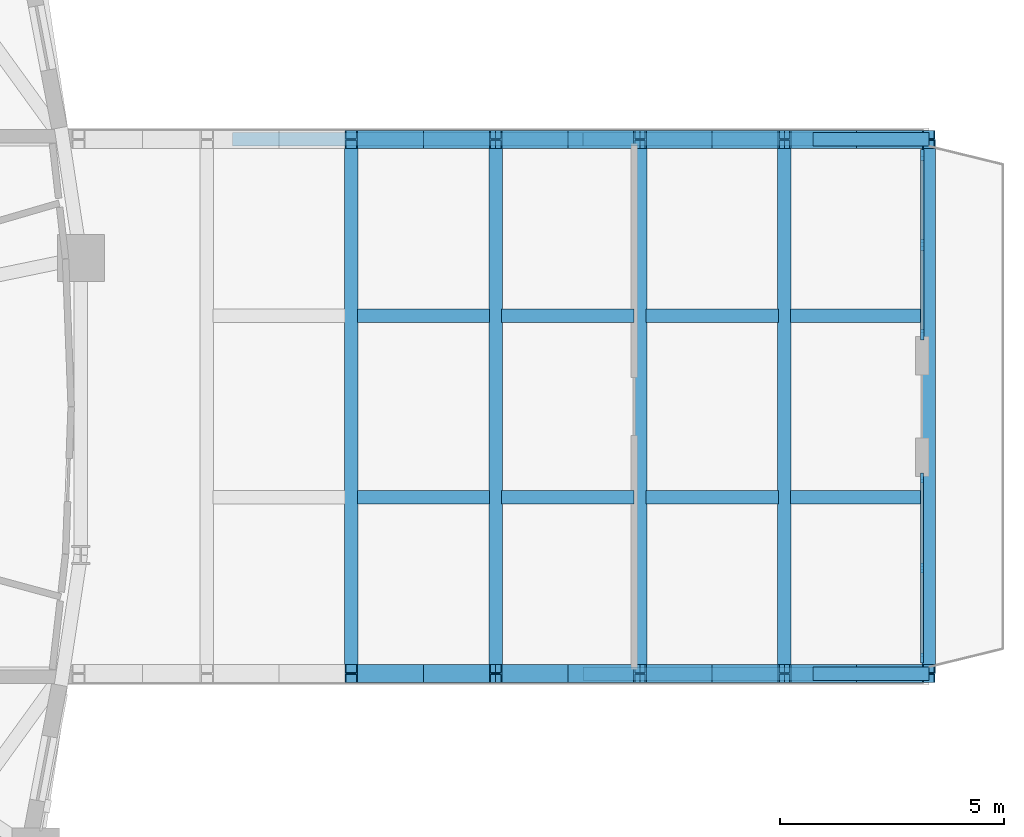
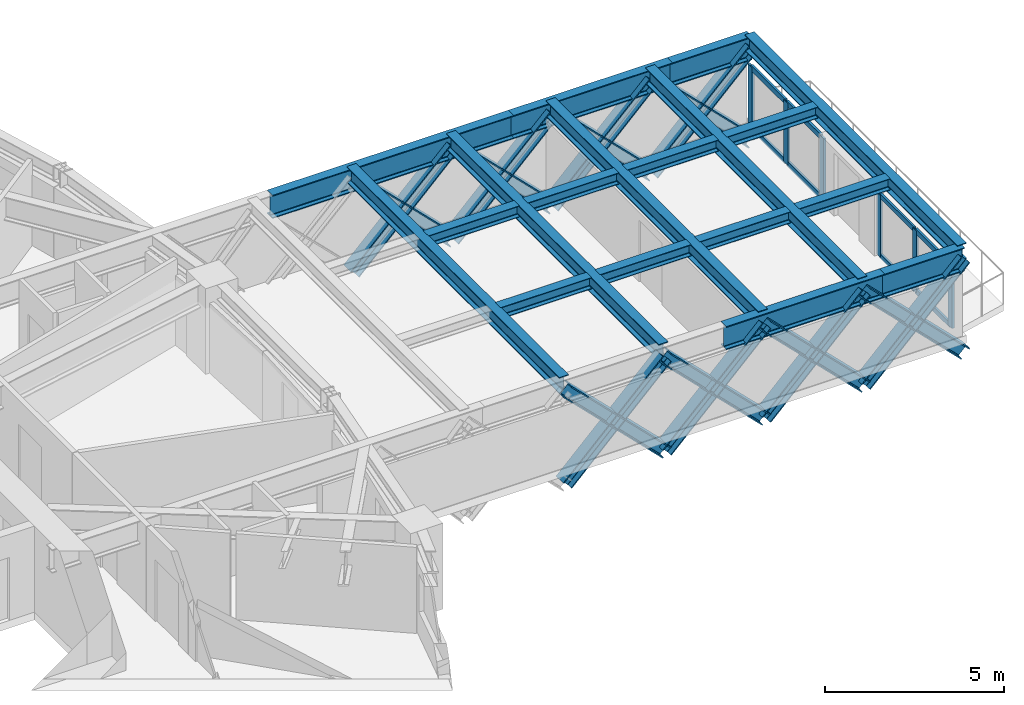
# One storey, part 2 of 16: 30 members, 18 beams, 2 elements without a shape of their own.
"""IFC4 building model written with IfcOpenShell, lengths in metres."""

from ifc_helpers import new_model, si_unit, direction, frame, origin, origin_2d, place, context, subcontext, project, spatial, rectangle, i_section, extrude, source, transform, mapped, material, layer, layer_set, material_profile, profile_set, type_object, element, aggregate, save


model = new_model("IFC4")

# Units and contexts
model_context = context("Model", 3, precision=1e-05, world=origin(), true_north=direction((0.0, 1.0)))
body_context = subcontext(model_context, "Body", "Model", "MODEL_VIEW")
ifc_project = project(units=[si_unit("LENGTHUNIT", "METRE"), si_unit("AREAUNIT", "SQUARE_METRE"), si_unit("VOLUMEUNIT", "CUBIC_METRE"), si_unit("PLANEANGLEUNIT", "RADIAN"), si_unit("MASSUNIT", "GRAM", prefix="KILO")], contexts=[model_context])

# Site, building, storey
site_placement = place(None, origin())
site = spatial("IfcSite", under=ifc_project, at=site_placement, CompositionType="ELEMENT")
building_placement = place(site_placement, origin())
building = spatial("IfcBuilding", under=site, at=building_placement, Name="Qafzar Sky-Pleat Residences", CompositionType="ELEMENT")
storey_placement = place(building_placement, frame((0.0, 0.0, 33.39990234375)))
storey = spatial("IfcBuildingStorey", under=building, at=storey_placement, Name="L09", CompositionType="ELEMENT", Elevation=33.39990234375)

# Beams
ifc_material_1 = material(Name="Steel S460", Category="steel")
ifc_material_profile_1 = material_profile(ifc_material_1, i_section(OverallWidth=0.300048828125, OverallDepth=0.800048828125, WebThickness=0.017578125, FlangeThickness=0.032958984375, FilletRadius=0.030029296875, at=origin_2d()), Name="HEB 800")
ifc_profile_set_1 = profile_set([ifc_material_profile_1], Name="Steel S460")
beam_type_1 = type_object("IfcBeamType", Name="BM-CHORD-HEB800", PredefinedType="BEAM", material=ifc_profile_set_1)
shared_shape_1 = source(origin(), body_context, "Body", "SweptSolid", [
    extrude(i_section(OverallWidth=0.300048828125, OverallDepth=0.800048828125, WebThickness=0.017578125, FlangeThickness=0.032958984375, FilletRadius=0.030029296875, at=origin_2d()), origin(), (0.0, 0.0, 1.0), 7.809814453125),
])
beam_placement = place(storey_placement, frame((49.7451171875, 31.949951171875, 2.5380859375), z_axis=(1.0, 0.0, 0.0), x_axis=(0.0, 1.0, 0.0)))
element("IfcBeam", 1, at=beam_placement, inside=storey, type_object=beam_type_1, Name="L09 SB-1 Truss Chord L2", PredefinedType="BEAM", context=body_context, shape_type="MappedRepresentation", body=[
    mapped(shared_shape_1, transform((0.0, 0.0, 0.0), x_axis=(1.0, 0.0, 0.0), y_axis=(0.0, 1.0, 0.0), z_axis=(0.0, 0.0, 1.0), scale=1.0)),
])
shared_shape_2 = source(origin(), body_context, "Body", "SweptSolid", [
    extrude(i_section(OverallWidth=0.300048828125, OverallDepth=0.800048828125, WebThickness=0.017578125, FlangeThickness=0.032958984375, FilletRadius=0.030029296875, at=origin_2d()), origin(), (0.0, 0.0, 1.0), 5.14208984375),
])
for number, where, z_axis, x_axis, name in (
    (2, (57.544921875, 31.949951171875, 2.5380859375), (1.0, 0.0, 0.0), (0.0, 1.0, 0.0), "L09 SB-1 Truss Chord L3"),
    (3, (57.544921875, 20.050048828125, 2.5380859375), (1.0, 0.0, 0.0), (0.0, 1.0, 0.0), "L09 SB-1 Truss Chord R3"),
):
    element("IfcBeam", number, at=place(storey_placement, frame(where, z_axis=z_axis, x_axis=x_axis)), inside=storey, type_object=beam_type_1, Name=name, PredefinedType="BEAM", context=body_context, shape_type="MappedRepresentation", body=[
        mapped(shared_shape_2, transform((0.0, 0.0, 0.0), x_axis=(1.0, 0.0, 0.0), y_axis=(0.0, 1.0, 0.0), z_axis=(0.0, 0.0, 1.0), scale=1.0)),
    ])
shared_shape_3 = source(origin(), body_context, "Body", "SweptSolid", [
    extrude(i_section(OverallWidth=0.300048828125, OverallDepth=0.800048828125, WebThickness=0.017578125, FlangeThickness=0.032958984375, FilletRadius=0.030029296875, at=origin_2d()), origin(), (0.0, 0.0, 1.0), 2.577392578125),
])
for number, where, z_axis, x_axis, name in (
    (4, (62.677001953125, 31.949951171875, 2.5380859375), (1.0, 0.0, 0.0), (0.0, 1.0, 0.0), "L09 SB-1 Truss Chord L4"),
    (5, (62.677001953125, 20.050048828125, 2.5380859375), (1.0, 0.0, 0.0), (0.0, 1.0, 0.0), "L09 SB-1 Truss Chord R4"),
):
    element("IfcBeam", number, at=place(storey_placement, frame(where, z_axis=z_axis, x_axis=x_axis)), inside=storey, type_object=beam_type_1, Name=name, PredefinedType="BEAM", context=body_context, shape_type="MappedRepresentation", body=[
        mapped(shared_shape_3, transform((0.0, 0.0, 0.0), x_axis=(1.0, 0.0, 0.0), y_axis=(0.0, 1.0, 0.0), z_axis=(0.0, 0.0, 1.0), scale=1.0)),
    ])
ifc_material_2 = material(Name="Steel S355", Category="steel")
ifc_material_profile_2 = material_profile(ifc_material_2, i_section(OverallWidth=0.300048828125, OverallDepth=0.550048828125, WebThickness=0.014892578125, FlangeThickness=0.029052734375, FilletRadius=0.027099609375, at=origin_2d()), Name="HEB 550")
ifc_profile_set_2 = profile_set([ifc_material_profile_2], Name="Steel S355")
beam_type_2 = type_object("IfcBeamType", Name="BM-GIRD-HEB550", PredefinedType="BEAM", material=ifc_profile_set_2)
shared_shape_4 = source(origin(), body_context, "Body", "SweptSolid", [
    extrude(i_section(OverallWidth=0.300048828125, OverallDepth=0.550048828125, WebThickness=0.014892578125, FlangeThickness=0.029052734375, FilletRadius=0.027099609375, at=origin_2d()), origin(), (0.0, 0.0, 1.0), 11.89990234375),
])
for number, where, z_axis, x_axis, name in (
    (6, (52.384765625, 31.949951171875, 2.68798828125), (0.0, -1.0, 0.0), (1.0, 0.0, 0.0), "L09 SB-1 Transverse Girder 2"),
    (7, (55.602294921875, 31.949951171875, 2.68798828125), (0.0, -1.0, 0.0), (1.0, 0.0, 0.0), "L09 SB-1 Transverse Girder 3"),
    (8, (58.819580078125, 31.949951171875, 2.68798828125), (0.0, -1.0, 0.0), (1.0, 0.0, 0.0), "L09 SB-1 Transverse Girder 4"),
    (9, (62.037109375, 31.949951171875, 2.68798828125), (0.0, -1.0, 0.0), (1.0, 0.0, 0.0), "L09 SB-1 Transverse Girder 5"),
    (10, (65.25439453125, 31.949951171875, 2.68798828125), (0.0, -1.0, 0.0), (1.0, 0.0, 0.0), "L09 SB-1 Transverse Girder 6"),
):
    element("IfcBeam", number, at=place(storey_placement, frame(where, z_axis=z_axis, x_axis=x_axis)), inside=storey, type_object=beam_type_2, Name=name, PredefinedType="BEAM", context=body_context, shape_type="MappedRepresentation", body=[
        mapped(shared_shape_4, transform((0.0, 0.0, 0.0), x_axis=(1.0, 0.0, 0.0), y_axis=(0.0, 1.0, 0.0), z_axis=(0.0, 0.0, 1.0), scale=1.0)),
    ])
ifc_material_profile_3 = material_profile(ifc_material_2, i_section(OverallWidth=0.300048828125, OverallDepth=0.389892578125, WebThickness=0.010986328125, FlangeThickness=0.01904296875, FilletRadius=0.027099609375, at=origin_2d()), Name="HEA 400")
ifc_profile_set_3 = profile_set([ifc_material_profile_3], Name="Steel S355")
beam_type_3 = type_object("IfcBeamType", Name="BM-SBJ-HEA400", PredefinedType="JOIST", material=ifc_profile_set_3)
shared_shape_5 = source(origin(), body_context, "Body", "SweptSolid", [
    extrude(i_section(OverallWidth=0.300048828125, OverallDepth=0.389892578125, WebThickness=0.010986328125, FlangeThickness=0.01904296875, FilletRadius=0.027099609375, at=origin_2d()), origin(), (0.0, 0.0, 1.0), 2.947265625),
])
for number, where, z_axis, x_axis, name in (
    (11, (62.172119140625, 23.97705078125, 2.76806640625), (1.0, 0.0, 0.0), (0.0, 1.0, 0.0), "L09 SB-1 Sky-Bar Secondary Deck Joist 6.1"),
    (12, (62.172119140625, 28.02294921875, 2.76806640625), (1.0, 0.0, 0.0), (0.0, 1.0, 0.0), "L09 SB-1 Sky-Bar Secondary Deck Joist 6.2"),
):
    element("IfcBeam", number, at=place(storey_placement, frame(where, z_axis=z_axis, x_axis=x_axis)), inside=storey, type_object=beam_type_3, Name=name, PredefinedType="JOIST", context=body_context, shape_type="MappedRepresentation", body=[
        mapped(shared_shape_5, transform((0.0, 0.0, 0.0), x_axis=(1.0, 0.0, 0.0), y_axis=(0.0, 1.0, 0.0), z_axis=(0.0, 0.0, 1.0), scale=1.0)),
    ])
shared_shape_6 = source(origin(), body_context, "Body", "SweptSolid", [
    extrude(i_section(OverallWidth=0.300048828125, OverallDepth=0.389892578125, WebThickness=0.010986328125, FlangeThickness=0.01904296875, FilletRadius=0.027099609375, at=origin_2d()), origin(), (0.0, 0.0, 1.0), 2.947509765625),
])
for number, where, z_axis, x_axis, name in (
    (13, (52.519775390625, 23.97705078125, 2.76806640625), (1.0, 0.0, 0.0), (0.0, 1.0, 0.0), "L09 SB-1 Sky-Bar Secondary Deck Joist 3.1"),
    (14, (52.519775390625, 28.02294921875, 2.76806640625), (1.0, 0.0, 0.0), (0.0, 1.0, 0.0), "L09 SB-1 Sky-Bar Secondary Deck Joist 3.2"),
    (15, (55.7373046875, 23.97705078125, 2.76806640625), (1.0, 0.0, 0.0), (0.0, 1.0, 0.0), "L09 SB-1 Sky-Bar Secondary Deck Joist 4.1"),
    (16, (55.7373046875, 28.02294921875, 2.76806640625), (1.0, 0.0, 0.0), (0.0, 1.0, 0.0), "L09 SB-1 Sky-Bar Secondary Deck Joist 4.2"),
    (17, (58.95458984375, 23.97705078125, 2.76806640625), (1.0, 0.0, 0.0), (0.0, 1.0, 0.0), "L09 SB-1 Sky-Bar Secondary Deck Joist 5.1"),
    (18, (58.95458984375, 28.02294921875, 2.76806640625), (1.0, 0.0, 0.0), (0.0, 1.0, 0.0), "L09 SB-1 Sky-Bar Secondary Deck Joist 5.2"),
):
    element("IfcBeam", number, at=place(storey_placement, frame(where, z_axis=z_axis, x_axis=x_axis)), inside=storey, type_object=beam_type_3, Name=name, PredefinedType="JOIST", context=body_context, shape_type="MappedRepresentation", body=[
        mapped(shared_shape_6, transform((0.0, 0.0, 0.0), x_axis=(1.0, 0.0, 0.0), y_axis=(0.0, 1.0, 0.0), z_axis=(0.0, 0.0, 1.0), scale=1.0)),
    ])

# Members
ifc_material_profile_4 = material_profile(ifc_material_1, i_section(OverallWidth=0.40087890625, OverallDepth=0.39892578125, WebThickness=0.02294921875, FlangeThickness=0.035888671875, FilletRadius=0.014892578125, at=origin_2d()), Name="HD 400x314")
ifc_profile_set_4 = profile_set([ifc_material_profile_4], Name="Steel S460")
member_type_1 = type_object("IfcMemberType", Name="MEM-SB-DIAG", PredefinedType="BRACE", material=ifc_profile_set_4)
shared_shape_7 = source(origin(), body_context, "Body", "SweptSolid", [
    extrude(i_section(OverallWidth=0.40087890625, OverallDepth=0.39892578125, WebThickness=0.02294921875, FlangeThickness=0.035888671875, FilletRadius=0.014892578125, at=origin_2d()), origin(), (0.0, 0.0, 1.0), 4.541259765625),
])
for number, where, z_axis, x_axis, name in (
    (19, (55.602294921875, 31.949951171875, -0.6669921875), (0.708449504338, 0.0, 0.705761503487), (0.0, 1.0, 0.0), "L09 SB-1 Truss Web Diagonal L4A"),
    (20, (55.602294921875, 31.949951171875, 2.5380859375), (0.708449504338, 0.0, -0.705761503487), (0.0, 1.0, 0.0), "L09 SB-1 Truss Web Diagonal L4B"),
    (21, (62.037109375, 31.949951171875, -0.6669921875), (0.708449504338, 0.0, 0.705761503487), (0.0, 1.0, 0.0), "L09 SB-1 Truss Web Diagonal L6A"),
    (22, (62.037109375, 31.949951171875, 2.5380859375), (0.708449504338, 0.0, -0.705761503487), (0.0, 1.0, 0.0), "L09 SB-1 Truss Web Diagonal L6B"),
    (23, (55.602294921875, 20.050048828125, -0.6669921875), (0.708449504338, 0.0, 0.705761503487), (0.0, 1.0, 0.0), "L09 SB-1 Truss Web Diagonal R4A"),
    (24, (55.602294921875, 20.050048828125, 2.5380859375), (0.708449504338, 0.0, -0.705761503487), (0.0, 1.0, 0.0), "L09 SB-1 Truss Web Diagonal R4B"),
    (25, (62.037109375, 20.050048828125, -0.6669921875), (0.708449504338, 0.0, 0.705761503487), (0.0, 1.0, 0.0), "L09 SB-1 Truss Web Diagonal R6A"),
    (26, (62.037109375, 20.050048828125, 2.5380859375), (0.708449504338, 0.0, -0.705761503487), (0.0, 1.0, 0.0), "L09 SB-1 Truss Web Diagonal R6B"),
):
    element("IfcMember", number, at=place(storey_placement, frame(where, z_axis=z_axis, x_axis=x_axis)), inside=storey, type_object=member_type_1, Name=name, PredefinedType="BRACE", context=body_context, shape_type="MappedRepresentation", body=[
        mapped(shared_shape_7, transform((0.0, 0.0, 0.0), x_axis=(1.0, 0.0, 0.0), y_axis=(0.0, 1.0, 0.0), z_axis=(0.0, 0.0, 1.0), scale=1.0)),
    ])
shared_shape_8 = source(origin(), body_context, "Body", "SweptSolid", [
    extrude(i_section(OverallWidth=0.40087890625, OverallDepth=0.39892578125, WebThickness=0.02294921875, FlangeThickness=0.035888671875, FilletRadius=0.014892578125, at=origin_2d()), origin(), (0.0, 0.0, 1.0), 4.54150390625),
])
for number, where, z_axis, x_axis, name in (
    (27, (52.384765625, 31.949951171875, -0.6669921875), (0.708476280635, 0.0, 0.705734624188), (0.0, 1.0, 0.0), "L09 SB-1 Truss Web Diagonal L3A"),
    (28, (52.384765625, 31.949951171875, 2.5380859375), (0.708476280635, 0.0, -0.705734624188), (0.0, 1.0, 0.0), "L09 SB-1 Truss Web Diagonal L3B"),
    (29, (58.819580078125, 31.949951171875, -0.6669921875), (0.708476280635, 0.0, 0.705734624188), (0.0, 1.0, 0.0), "L09 SB-1 Truss Web Diagonal L5A"),
    (30, (58.819580078125, 31.949951171875, 2.5380859375), (0.708476280635, 0.0, -0.705734624188), (0.0, 1.0, 0.0), "L09 SB-1 Truss Web Diagonal L5B"),
    (31, (52.384765625, 20.050048828125, -0.6669921875), (0.708476280635, 0.0, 0.705734624188), (0.0, 1.0, 0.0), "L09 SB-1 Truss Web Diagonal R3A"),
    (32, (52.384765625, 20.050048828125, 2.5380859375), (0.708476280635, 0.0, -0.705734624188), (0.0, 1.0, 0.0), "L09 SB-1 Truss Web Diagonal R3B"),
    (33, (58.819580078125, 20.050048828125, -0.6669921875), (0.708476280635, 0.0, 0.705734624188), (0.0, 1.0, 0.0), "L09 SB-1 Truss Web Diagonal R5A"),
    (34, (58.819580078125, 20.050048828125, 2.5380859375), (0.708476280635, 0.0, -0.705734624188), (0.0, 1.0, 0.0), "L09 SB-1 Truss Web Diagonal R5B"),
):
    element("IfcMember", number, at=place(storey_placement, frame(where, z_axis=z_axis, x_axis=x_axis)), inside=storey, type_object=member_type_1, Name=name, PredefinedType="BRACE", context=body_context, shape_type="MappedRepresentation", body=[
        mapped(shared_shape_8, transform((0.0, 0.0, 0.0), x_axis=(1.0, 0.0, 0.0), y_axis=(0.0, 1.0, 0.0), z_axis=(0.0, 0.0, 1.0), scale=1.0)),
    ])

# Curtain wall, members
ifc_material_3 = material(Name="Anodised bronze aluminium framing", Category="aluminium")
ifc_layer_1 = layer(ifc_material_3, 0.239990234375)
ifc_layer_set_1 = layer_set([ifc_layer_1], Name="Anodised bronze aluminium framing")
curtain_wall_type_1 = type_object("IfcCurtainWallType", Name="CW-SYS-02", PredefinedType="NOTDEFINED", material=ifc_layer_set_1)
curtain_wall_1_placement = place(storey_placement, origin())
curtain_wall_1 = element("IfcCurtainWall", 35, at=curtain_wall_1_placement, inside=storey, type_object=curtain_wall_type_1, Name="L09 CW-02 Curtain Wall CW-L09-SB-1-PROW-L", PredefinedType="NOTDEFINED")
ifc_material_4 = material(Name="Anodised bronze aluminium", Category="aluminium")
ifc_material_profile_5 = material_profile(ifc_material_4, rectangle(XDim=0.074951171875, YDim=0.179931640625, at=origin_2d()), Name="ALU TRANSOM 75x180")
ifc_profile_set_5 = profile_set([ifc_material_profile_5], Name="Anodised bronze aluminium")
member_type_2 = type_object("IfcMemberType", Name="CWT-02", PredefinedType="USERDEFINED", material=ifc_profile_set_5)
shared_shape_9 = source(origin(), body_context, "Body", "SweptSolid", [
    extrude(rectangle(XDim=0.074951171875, YDim=0.179931640625, at=origin_2d()), origin(), (0.0, 0.0, 1.0), 1.927490234375),
])
member_1_placement = place(storey_placement, frame((65.1044921875, 31.56494140625, 0.03759765625), z_axis=(0.0, -1.0, 0.0), x_axis=(1.0, 0.0, 0.0)))
member_1 = element("IfcMember", 36, at=member_1_placement, type_object=member_type_2, Name="CW-02 transom 1.1", ObjectType="TRANSOM", PredefinedType="USERDEFINED", context=body_context, shape_type="MappedRepresentation", body=[
    mapped(shared_shape_9, transform((0.0, 0.0, 0.0), x_axis=(1.0, 0.0, 0.0), y_axis=(0.0, 1.0, 0.0), z_axis=(0.0, 0.0, 1.0), scale=1.0)),
])
member_2_placement = place(storey_placement, frame((65.1044921875, 31.56494140625, 2.08251953125), z_axis=(0.0, -1.0, 0.0), x_axis=(1.0, 0.0, 0.0)))
member_2 = element("IfcMember", 37, at=member_2_placement, type_object=member_type_2, Name="CW-02 transom 1.2", ObjectType="TRANSOM", PredefinedType="USERDEFINED", context=body_context, shape_type="MappedRepresentation", body=[
    mapped(shared_shape_9, transform((0.0, 0.0, 0.0), x_axis=(1.0, 0.0, 0.0), y_axis=(0.0, 1.0, 0.0), z_axis=(0.0, 0.0, 1.0), scale=1.0)),
])
member_3_placement = place(storey_placement, frame((65.1044921875, 29.5625, 0.03759765625), z_axis=(0.0, -1.0, 0.0), x_axis=(1.0, 0.0, 0.0)))
member_3 = element("IfcMember", 38, at=member_3_placement, type_object=member_type_2, Name="CW-02 transom 2.1", ObjectType="TRANSOM", PredefinedType="USERDEFINED", context=body_context, shape_type="MappedRepresentation", body=[
    mapped(shared_shape_9, transform((0.0, 0.0, 0.0), x_axis=(1.0, 0.0, 0.0), y_axis=(0.0, 1.0, 0.0), z_axis=(0.0, 0.0, 1.0), scale=1.0)),
])
member_4_placement = place(storey_placement, frame((65.1044921875, 29.5625, 2.08251953125), z_axis=(0.0, -1.0, 0.0), x_axis=(1.0, 0.0, 0.0)))
member_4 = element("IfcMember", 39, at=member_4_placement, type_object=member_type_2, Name="CW-02 transom 2.2", ObjectType="TRANSOM", PredefinedType="USERDEFINED", context=body_context, shape_type="MappedRepresentation", body=[
    mapped(shared_shape_9, transform((0.0, 0.0, 0.0), x_axis=(1.0, 0.0, 0.0), y_axis=(0.0, 1.0, 0.0), z_axis=(0.0, 0.0, 1.0), scale=1.0)),
])

ifc_layer_2 = layer(ifc_material_3, 0.219970703125)
ifc_layer_set_2 = layer_set([ifc_layer_2], Name="Anodised bronze aluminium framing")
curtain_wall_type_2 = type_object("IfcCurtainWallType", Name="CW-SYS-03", PredefinedType="NOTDEFINED", material=ifc_layer_set_2)
curtain_wall_2_placement = place(storey_placement, origin())
curtain_wall_2 = element("IfcCurtainWall", 40, at=curtain_wall_2_placement, inside=storey, type_object=curtain_wall_type_2, Name="L09 CW-03 Curtain Wall CW-L09-SB-1-PROW-R", PredefinedType="NOTDEFINED")
ifc_material_profile_6 = material_profile(ifc_material_4, rectangle(XDim=0.070068359375, YDim=0.1650390625, at=origin_2d()), Name="ALU TRANSOM 70x165")
ifc_profile_set_6 = profile_set([ifc_material_profile_6], Name="Anodised bronze aluminium")
member_type_3 = type_object("IfcMemberType", Name="CWT-03", PredefinedType="USERDEFINED", material=ifc_profile_set_6)
shared_shape_10 = source(origin(), body_context, "Body", "SweptSolid", [
    extrude(rectangle(XDim=0.070068359375, YDim=0.1650390625, at=origin_2d()), origin(), (0.0, 0.0, 1.0), 1.93505859375),
])
member_5_placement = place(storey_placement, frame((65.1044921875, 24.3701171875, 0.03515625), z_axis=(0.0, -1.0, 0.0), x_axis=(1.0, 0.0, 0.0)))
member_5 = element("IfcMember", 41, at=member_5_placement, type_object=member_type_3, Name="CW-03 transom 1.1", ObjectType="TRANSOM", PredefinedType="USERDEFINED", context=body_context, shape_type="MappedRepresentation", body=[
    mapped(shared_shape_10, transform((0.0, 0.0, 0.0), x_axis=(1.0, 0.0, 0.0), y_axis=(0.0, 1.0, 0.0), z_axis=(0.0, 0.0, 1.0), scale=1.0)),
])
member_6_placement = place(storey_placement, frame((65.1044921875, 24.3701171875, 2.085205078125), z_axis=(0.0, -1.0, 0.0), x_axis=(1.0, 0.0, 0.0)))
member_6 = element("IfcMember", 42, at=member_6_placement, type_object=member_type_3, Name="CW-03 transom 1.2", ObjectType="TRANSOM", PredefinedType="USERDEFINED", context=body_context, shape_type="MappedRepresentation", body=[
    mapped(shared_shape_10, transform((0.0, 0.0, 0.0), x_axis=(1.0, 0.0, 0.0), y_axis=(0.0, 1.0, 0.0), z_axis=(0.0, 0.0, 1.0), scale=1.0)),
])
member_7_placement = place(storey_placement, frame((65.1044921875, 22.364990234375, 0.03515625), z_axis=(0.0, -1.0, 0.0), x_axis=(1.0, 0.0, 0.0)))
member_7 = element("IfcMember", 43, at=member_7_placement, type_object=member_type_3, Name="CW-03 transom 2.1", ObjectType="TRANSOM", PredefinedType="USERDEFINED", context=body_context, shape_type="MappedRepresentation", body=[
    mapped(shared_shape_10, transform((0.0, 0.0, 0.0), x_axis=(1.0, 0.0, 0.0), y_axis=(0.0, 1.0, 0.0), z_axis=(0.0, 0.0, 1.0), scale=1.0)),
])
member_8_placement = place(storey_placement, frame((65.1044921875, 22.364990234375, 2.085205078125), z_axis=(0.0, -1.0, 0.0), x_axis=(1.0, 0.0, 0.0)))
member_8 = element("IfcMember", 44, at=member_8_placement, type_object=member_type_3, Name="CW-03 transom 2.2", ObjectType="TRANSOM", PredefinedType="USERDEFINED", context=body_context, shape_type="MappedRepresentation", body=[
    mapped(shared_shape_10, transform((0.0, 0.0, 0.0), x_axis=(1.0, 0.0, 0.0), y_axis=(0.0, 1.0, 0.0), z_axis=(0.0, 0.0, 1.0), scale=1.0)),
])

# Member
ifc_material_profile_7 = material_profile(ifc_material_4, rectangle(XDim=0.074951171875, YDim=0.239990234375, at=origin_2d()), Name="ALU MULLION 75x240")
ifc_profile_set_7 = profile_set([ifc_material_profile_7], Name="Anodised bronze aluminium")
member_type_4 = type_object("IfcMemberType", Name="CWM-02", PredefinedType="MULLION", material=ifc_profile_set_7)
shared_shape_11 = source(origin(), body_context, "Body", "SweptSolid", [
    extrude(rectangle(XDim=0.074951171875, YDim=0.239990234375, at=origin_2d()), origin(), (0.0, 0.0, 1.0), 2.1201171875),
])
member_9_placement = place(storey_placement, frame((65.1044921875, 31.6025390625, 0.0), z_axis=(0.0, 0.0, 1.0), x_axis=(1.0, 0.0, 0.0)))
member_9 = element("IfcMember", 45, at=member_9_placement, type_object=member_type_4, Name="CW-02 mullion 1", PredefinedType="MULLION", context=body_context, shape_type="MappedRepresentation", body=[
    mapped(shared_shape_11, transform((0.0, 0.0, 0.0), x_axis=(1.0, 0.0, 0.0), y_axis=(0.0, 1.0, 0.0), z_axis=(0.0, 0.0, 1.0), scale=1.0)),
])

member_10_placement = place(storey_placement, frame((65.1044921875, 29.60009765625, 0.0), z_axis=(0.0, 0.0, 1.0), x_axis=(1.0, 0.0, 0.0)))
member_10 = element("IfcMember", 46, at=member_10_placement, type_object=member_type_4, Name="CW-02 mullion 2", PredefinedType="MULLION", context=body_context, shape_type="MappedRepresentation", body=[
    mapped(shared_shape_11, transform((0.0, 0.0, 0.0), x_axis=(1.0, 0.0, 0.0), y_axis=(0.0, 1.0, 0.0), z_axis=(0.0, 0.0, 1.0), scale=1.0)),
])

member_11_placement = place(storey_placement, frame((65.1044921875, 27.597412109375, 0.0), z_axis=(0.0, 0.0, 1.0), x_axis=(1.0, 0.0, 0.0)))
member_11 = element("IfcMember", 47, at=member_11_placement, type_object=member_type_4, Name="CW-02 mullion 3", PredefinedType="MULLION", context=body_context, shape_type="MappedRepresentation", body=[
    mapped(shared_shape_11, transform((0.0, 0.0, 0.0), x_axis=(1.0, 0.0, 0.0), y_axis=(0.0, 1.0, 0.0), z_axis=(0.0, 0.0, 1.0), scale=1.0)),
])

aggregate(curtain_wall_1, [member_9, member_10, member_11, member_1, member_2, member_3, member_4])

ifc_material_profile_8 = material_profile(ifc_material_4, rectangle(XDim=0.070068359375, YDim=0.219970703125, at=origin_2d()), Name="ALU MULLION 70x220")
ifc_profile_set_8 = profile_set([ifc_material_profile_8], Name="Anodised bronze aluminium")
member_type_5 = type_object("IfcMemberType", Name="CWM-03", PredefinedType="MULLION", material=ifc_profile_set_8)
shared_shape_12 = source(origin(), body_context, "Body", "SweptSolid", [
    extrude(rectangle(XDim=0.070068359375, YDim=0.219970703125, at=origin_2d()), origin(), (0.0, 0.0, 1.0), 2.1201171875),
])
member_12_placement = place(storey_placement, frame((65.1044921875, 24.405029296875, 0.0), z_axis=(0.0, 0.0, 1.0), x_axis=(1.0, 0.0, 0.0)))
member_12 = element("IfcMember", 48, at=member_12_placement, type_object=member_type_5, Name="CW-03 mullion 1", PredefinedType="MULLION", context=body_context, shape_type="MappedRepresentation", body=[
    mapped(shared_shape_12, transform((0.0, 0.0, 0.0), x_axis=(1.0, 0.0, 0.0), y_axis=(0.0, 1.0, 0.0), z_axis=(0.0, 0.0, 1.0), scale=1.0)),
])

member_13_placement = place(storey_placement, frame((65.1044921875, 22.39990234375, 0.0), z_axis=(0.0, 0.0, 1.0), x_axis=(1.0, 0.0, 0.0)))
member_13 = element("IfcMember", 49, at=member_13_placement, type_object=member_type_5, Name="CW-03 mullion 2", PredefinedType="MULLION", context=body_context, shape_type="MappedRepresentation", body=[
    mapped(shared_shape_12, transform((0.0, 0.0, 0.0), x_axis=(1.0, 0.0, 0.0), y_axis=(0.0, 1.0, 0.0), z_axis=(0.0, 0.0, 1.0), scale=1.0)),
])

member_14_placement = place(storey_placement, frame((65.1044921875, 20.39501953125, 0.0), z_axis=(0.0, 0.0, 1.0), x_axis=(1.0, 0.0, 0.0)))
member_14 = element("IfcMember", 50, at=member_14_placement, type_object=member_type_5, Name="CW-03 mullion 3", PredefinedType="MULLION", context=body_context, shape_type="MappedRepresentation", body=[
    mapped(shared_shape_12, transform((0.0, 0.0, 0.0), x_axis=(1.0, 0.0, 0.0), y_axis=(0.0, 1.0, 0.0), z_axis=(0.0, 0.0, 1.0), scale=1.0)),
])

aggregate(curtain_wall_2, [member_12, member_13, member_14, member_5, member_6, member_7, member_8])

save(model, "model.ifc")
